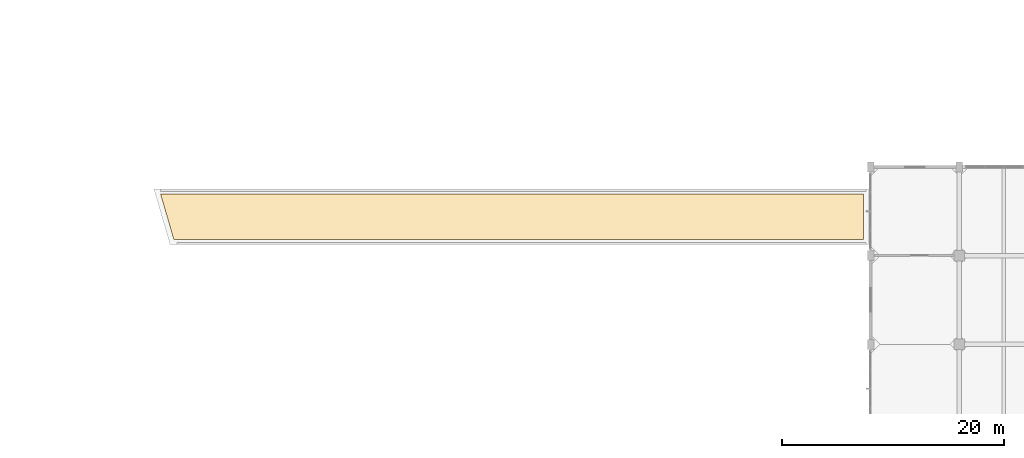
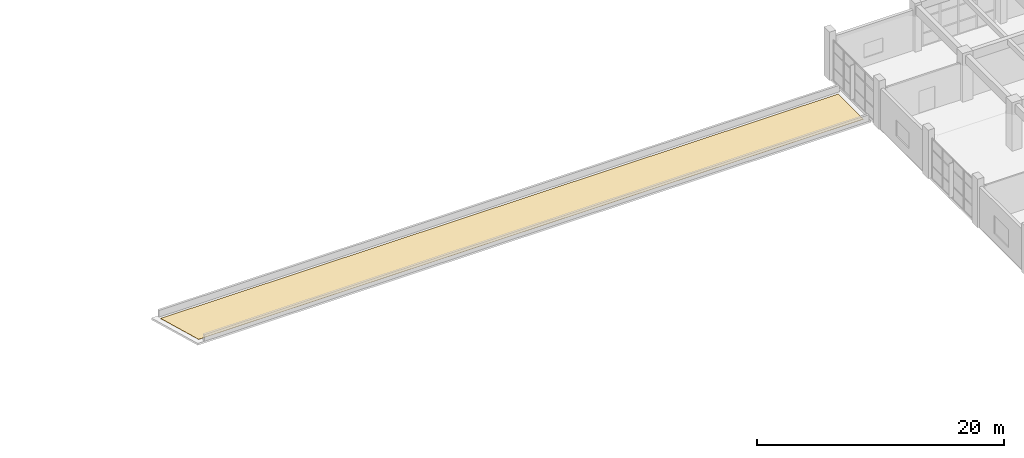
# One storey, part 58 of 63: 1 covering, 1 element without a shape of its own.
"""IFC4 building model written with IfcOpenShell, lengths in metres."""

from ifc_helpers import new_model, si_unit, direction, frame, origin, place, context, subcontext, project, spatial, polyline, outline, extrude, material, layer, layer_set, type_object, element, aggregate, save


model = new_model("IFC4")

# Units and contexts
model_context = context("Model", 3, precision=1e-05, world=origin(), true_north=direction((0.0, 1.0)))
body_context = subcontext(model_context, "Body", "Model", "MODEL_VIEW")
ifc_project = project(units=[si_unit("LENGTHUNIT", "METRE"), si_unit("AREAUNIT", "SQUARE_METRE"), si_unit("VOLUMEUNIT", "CUBIC_METRE"), si_unit("PLANEANGLEUNIT", "RADIAN"), si_unit("MASSUNIT", "GRAM", prefix="KILO")], contexts=[model_context])

# Site, building, storey
site_placement = place(None, origin())
site = spatial("IfcSite", under=ifc_project, at=site_placement, CompositionType="ELEMENT")
building_placement = place(site_placement, origin())
building = spatial("IfcBuilding", under=site, at=building_placement, Name="Canggui Botanical Conservatory", CompositionType="ELEMENT")
storey_placement = place(building_placement, frame((0.0, 0.0, 10.199951171875)))
storey = spatial("IfcBuildingStorey", under=building, at=storey_placement, Name="L03", CompositionType="ELEMENT", Elevation=10.199951171875)

# Roof, covering
ifc_material_1 = material(Name="Concrete C35", Category="concrete")
ifc_layer_1 = layer(ifc_material_1, 0.239990234375, Name="Concrete C35", Category="concrete")
ifc_layer_set_1 = layer_set([ifc_layer_1], Name="Concrete C35")
roof_type = type_object("IfcRoofType", Name="ROOF-FLAT", PredefinedType="FLAT_ROOF", material=ifc_layer_set_1)
roof_placement = place(storey_placement, origin())
roof = element("IfcRoof", 1, at=roof_placement, inside=storey, type_object=roof_type, Name="North Court Covered Skybridge SB-04 Flat Roof", PredefinedType="FLAT_ROOF")
ifc_material_2 = material(Name="TPO Waterproofing Membrane")
ifc_layer_2 = layer(ifc_material_2, 0.02490234375, Name="TPO Waterproofing Membrane")
ifc_layer_set_2 = layer_set([ifc_layer_2], Name="TPO Waterproofing Membrane")
covering_type = type_object("IfcCoveringType", Name="COV-ROOF-25", PredefinedType="ROOFING", material=ifc_layer_set_2)
covering_placement = place(storey_placement, origin())
covering = element("IfcCovering", 2, at=covering_placement, type_object=covering_type, Name="SB-04 Roof TPO Waterproofing Membrane", PredefinedType="ROOFING", context=body_context, shape_type="SweptSolid", body=[
    extrude(outline(polyline([(67.16748046875, 75.449951171875), (65.97021484375, 79.550048828125), (129.35009765625, 79.550048828125), (129.35009765625, 75.449951171875), (67.16748046875, 75.449951171875)])), origin(), (0.0, 0.0, 1.0), 0.025146484375),
])
aggregate(roof, [covering])

save(model, "model.ifc")
